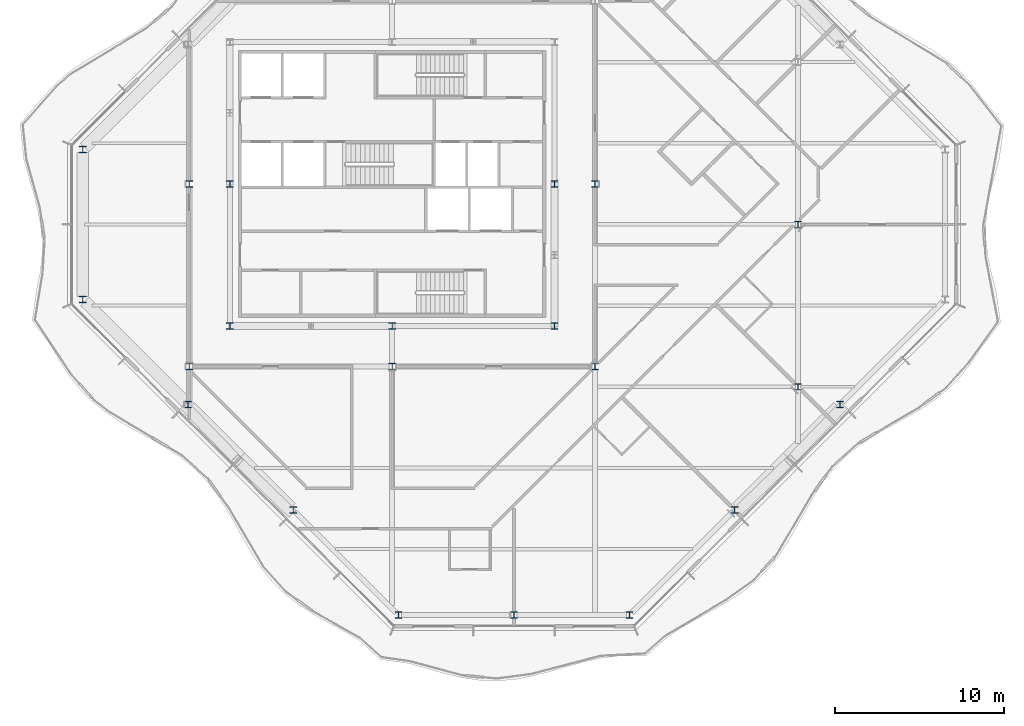
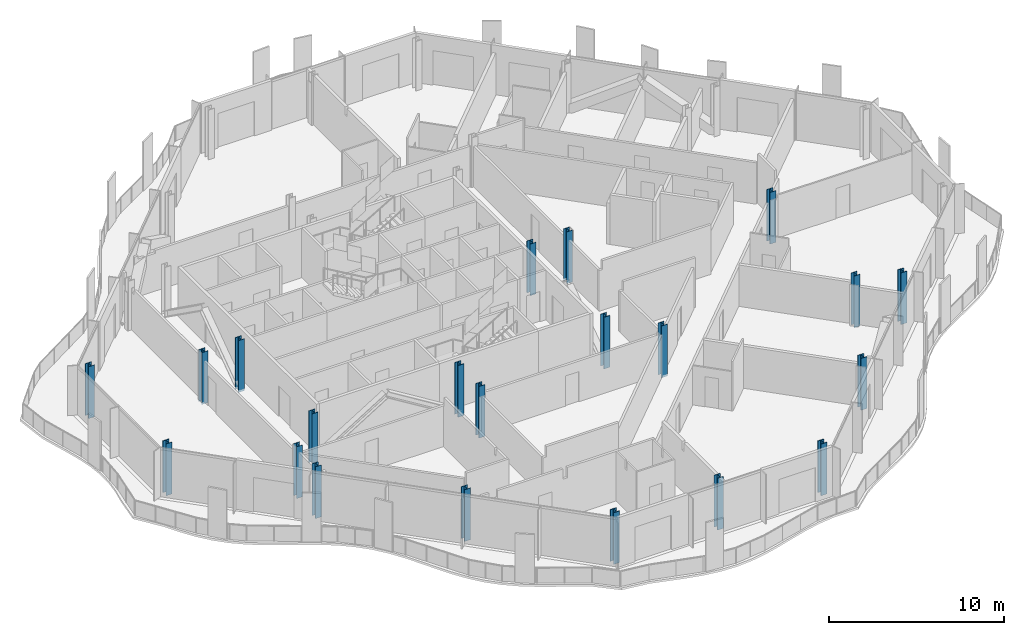
# One storey, part 1 of 16: 21 columns.
"""IFC4 building model written with IfcOpenShell, lengths in metres."""

from ifc_helpers import new_model, si_unit, direction, frame, origin, origin_2d, place, context, subcontext, project, spatial, i_section, extrude, material, material_profile, profile_set, type_object, element, save


model = new_model("IFC4")

# Units and contexts
model_context = context("Model", 3, precision=1e-05, world=origin(), true_north=direction((0.0, 1.0)))
body_context = subcontext(model_context, "Body", "Model", "MODEL_VIEW")
ifc_project = project(units=[si_unit("LENGTHUNIT", "METRE"), si_unit("AREAUNIT", "SQUARE_METRE"), si_unit("VOLUMEUNIT", "CUBIC_METRE"), si_unit("PLANEANGLEUNIT", "RADIAN"), si_unit("MASSUNIT", "GRAM", prefix="KILO")], contexts=[model_context])

# Site, building, storey
site_placement = place(None, origin())
site = spatial("IfcSite", under=ifc_project, at=site_placement, CompositionType="ELEMENT")
building_placement = place(site_placement, origin())
building = spatial("IfcBuilding", under=site, at=building_placement, Name="Cairn Pilgrim Tower", CompositionType="ELEMENT")
storey_placement = place(building_placement, frame((0.0, 0.0, 277.800048828125)))
storey = spatial("IfcBuildingStorey", under=building, at=storey_placement, Name="L71", CompositionType="ELEMENT", Elevation=277.800048828125)

# Columns
ifc_material = material(Name="Structural steel S355J2", Category="steel")
ifc_material_profile_1 = material_profile(ifc_material, i_section(OverallWidth=0.39404296875, OverallDepth=0.375, WebThickness=0.017333984375, FlangeThickness=0.027587890625, FilletRadius=0.014892578125, at=origin_2d()), Name="HD 400x216")
ifc_profile_set_1 = profile_set([ifc_material_profile_1], Name="Structural steel S355J2")
column_type_1 = type_object("IfcColumnType", Name="HD 400x216", PredefinedType="COLUMN", material=ifc_profile_set_1)
for number, where, z_axis, x_axis, name in (
    (1, (-4.800048828125, -8.39990234375, -0.150146484375), (0.0, 0.0, 1.0), (1.0, 0.0, 0.0), "IC-1"),
    (2, (7.199951171875, -8.39990234375, -0.150146484375), (0.0, 0.0, 1.0), (1.0, 0.0, 0.0), "IC-2"),
    (3, (19.199951171875, -8.39990234375, -0.150146484375), (0.0, 0.0, 1.0), (1.0, 0.0, 0.0), "IC-3"),
    (4, (-4.800048828125, 2.39990234375, -0.150146484375), (0.0, 0.0, 1.0), (1.0, 0.0, 0.0), "IC-4"),
    (5, (19.199951171875, 2.39990234375, -0.150146484375), (0.0, 0.0, 1.0), (1.0, 0.0, 0.0), "IC-5"),
    (6, (31.199951171875, -9.60009765625, -0.150146484375), (0.0, 0.0, 1.0), (1.0, 0.0, 0.0), "WC-WE-2"),
    (7, (31.199951171875, 0.0, -0.150146484375), (0.0, 0.0, 1.0), (1.0, 0.0, 0.0), "WC-WE+0"),
):
    element("IfcColumn", number, at=place(storey_placement, frame(where, z_axis=z_axis, x_axis=x_axis)), inside=storey, type_object=column_type_1, Name=name, PredefinedType="COLUMN", context=body_context, shape_type="SweptSolid", body=[
        extrude(i_section(OverallWidth=0.39404296875, OverallDepth=0.375, WebThickness=0.017333984375, FlangeThickness=0.027587890625, FilletRadius=0.014892578125, at=origin_2d()), origin(), (0.0, 0.0, 1.0), 3.60009765625),
    ])
ifc_material_profile_2 = material_profile(ifc_material, i_section(OverallWidth=0.39794921875, OverallDepth=0.386962890625, WebThickness=0.02099609375, FlangeThickness=0.033203125, FilletRadius=0.014892578125, at=origin_2d()), Name="HD 400x262")
ifc_profile_set_2 = profile_set([ifc_material_profile_2], Name="Structural steel S355J2")
column_type_2 = type_object("IfcColumnType", Name="HD 400x262", PredefinedType="COLUMN", material=ifc_profile_set_2)
for number, where, z_axis, x_axis, name in (
    (8, (-2.39990234375, -6.0, -0.150146484375), (0.0, 0.0, 1.0), (1.0, 0.0, 0.0), "KC-1"),
    (9, (7.199951171875, -6.0, -0.150146484375), (0.0, 0.0, 1.0), (1.0, 0.0, 0.0), "KC-2"),
    (10, (16.800048828125, -6.0, -0.150146484375), (0.0, 0.0, 1.0), (1.0, 0.0, 0.0), "KC-3"),
    (11, (-2.39990234375, 2.39990234375, -0.150146484375), (0.0, 0.0, 1.0), (1.0, 0.0, 0.0), "KC-4"),
    (12, (16.800048828125, 2.39990234375, -0.150146484375), (0.0, 0.0, 1.0), (1.0, 0.0, 0.0), "KC-5"),
):
    element("IfcColumn", number, at=place(storey_placement, frame(where, z_axis=z_axis, x_axis=x_axis)), inside=storey, type_object=column_type_2, Name=name, PredefinedType="COLUMN", context=body_context, shape_type="SweptSolid", body=[
        extrude(i_section(OverallWidth=0.39794921875, OverallDepth=0.386962890625, WebThickness=0.02099609375, FlangeThickness=0.033203125, FilletRadius=0.014892578125, at=origin_2d()), origin(), (0.0, 0.0, 1.0), 3.60009765625),
    ])
ifc_material_profile_3 = material_profile(ifc_material, i_section(OverallWidth=0.39892578125, OverallDepth=0.39306640625, WebThickness=0.022705078125, FlangeThickness=0.03662109375, FilletRadius=0.014892578125, at=origin_2d()), Name="HD 400x287")
ifc_profile_set_3 = profile_set([ifc_material_profile_3], Name="Structural steel S355J2")
column_type_3 = type_object("IfcColumnType", Name="HD 400x287", PredefinedType="COLUMN", material=ifc_profile_set_3)
for number, where, z_axis, x_axis, name in (
    (13, (7.57275390625, -23.10009765625, -0.150146484375), (0.0, 0.0, 1.0), (1.0, 0.0, 0.0), "PC4-S1"),
    (14, (14.39990234375, -23.10009765625, -0.150146484375), (0.0, 0.0, 1.0), (1.0, 0.0, 0.0), "PC4-S2"),
    (15, (21.227294921875, -23.10009765625, -0.150146484375), (0.0, 0.0, 1.0), (1.0, 0.0, 0.0), "PC4-SE1"),
    (16, (27.451416015625, -16.875732421875, -0.150146484375), (0.0, 0.0, 1.0), (1.0, 0.0, 0.0), "PC4-SE2"),
    (17, (33.67578125, -10.651611328125, -0.150146484375), (0.0, 0.0, 1.0), (1.0, 0.0, 0.0), "PC4-SE3"),
    (18, (-11.10009765625, 4.42724609375, -0.150146484375), (0.0, 0.0, 1.0), (1.0, 0.0, 0.0), "PC4-W1"),
    (19, (-11.10009765625, -4.42724609375, -0.150146484375), (0.0, 0.0, 1.0), (1.0, 0.0, 0.0), "PC4-SW1"),
    (20, (-4.875732421875, -10.651611328125, -0.150146484375), (0.0, 0.0, 1.0), (1.0, 0.0, 0.0), "PC4-SW2"),
    (21, (1.348388671875, -16.875732421875, -0.150146484375), (0.0, 0.0, 1.0), (1.0, 0.0, 0.0), "PC4-SW3"),
):
    element("IfcColumn", number, at=place(storey_placement, frame(where, z_axis=z_axis, x_axis=x_axis)), inside=storey, type_object=column_type_3, Name=name, PredefinedType="COLUMN", context=body_context, shape_type="SweptSolid", body=[
        extrude(i_section(OverallWidth=0.39892578125, OverallDepth=0.39306640625, WebThickness=0.022705078125, FlangeThickness=0.03662109375, FilletRadius=0.014892578125, at=origin_2d()), origin(), (0.0, 0.0, 1.0), 3.60009765625),
    ])

save(model, "model.ifc")
